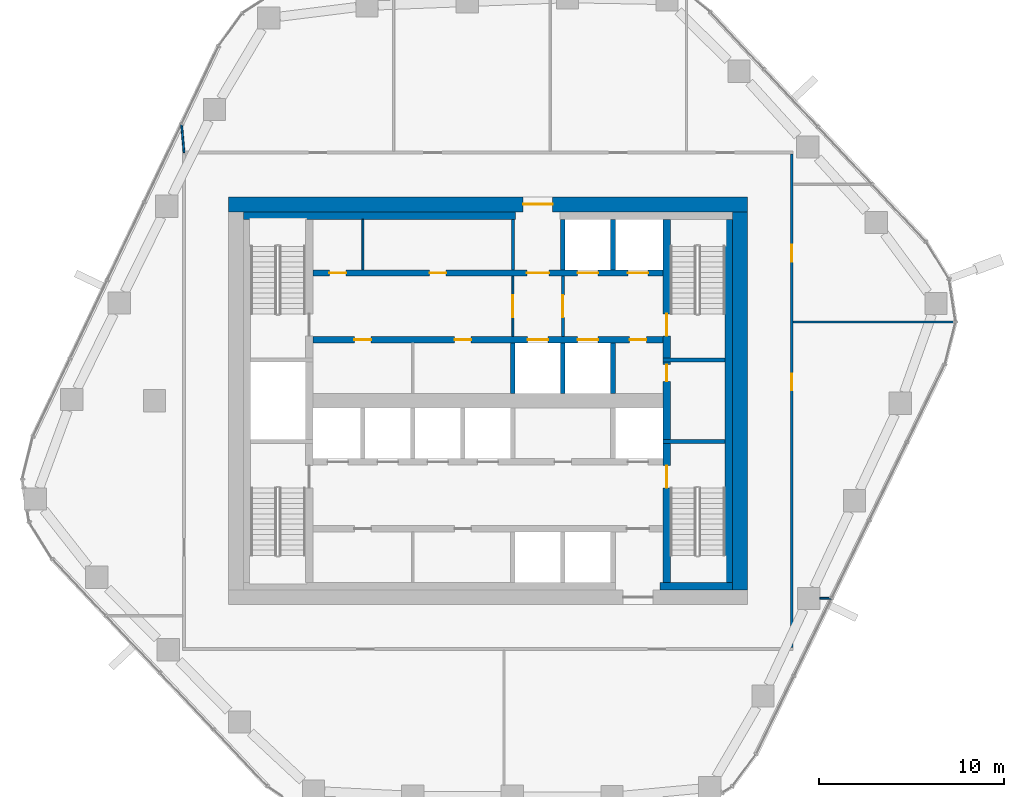
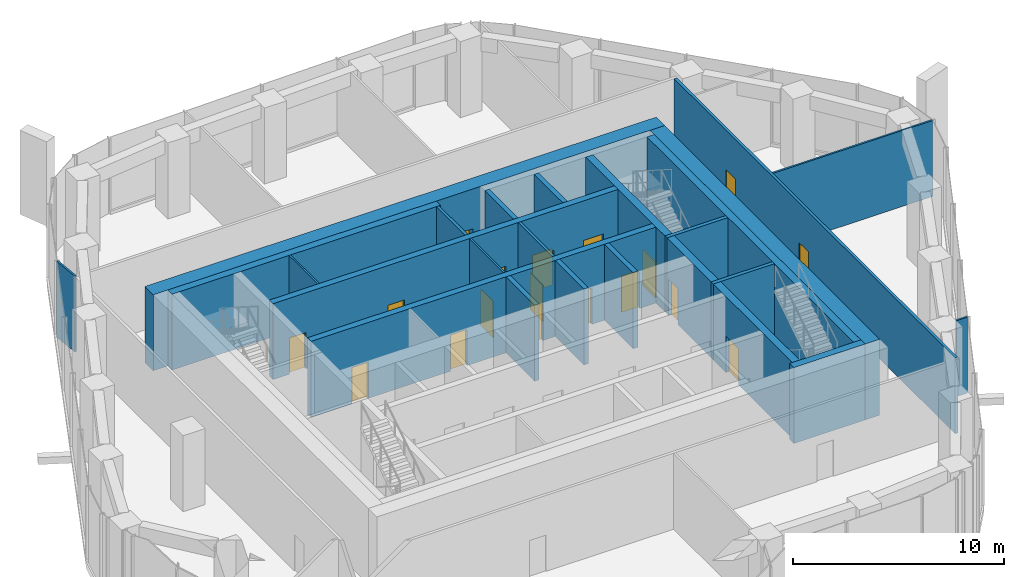
# One storey, part 12 of 16: 25 walls, 18 doors, 18 openings.
"""IFC4 building model written with IfcOpenShell, lengths in metres."""

from ifc_helpers import new_model, si_unit, direction, frame, frame_2d, origin, place, context, subcontext, project, spatial, rectangle, extrude, material, layer, layer_set, type_object, element, fill, save


model = new_model("IFC4")

# Units and contexts
model_context = context("Model", 3, precision=1e-05, world=origin(), true_north=direction((0.0, 1.0)))
body_context = subcontext(model_context, "Body", "Model", "MODEL_VIEW")
ifc_project = project(units=[si_unit("LENGTHUNIT", "METRE"), si_unit("AREAUNIT", "SQUARE_METRE"), si_unit("VOLUMEUNIT", "CUBIC_METRE"), si_unit("PLANEANGLEUNIT", "RADIAN"), si_unit("MASSUNIT", "GRAM", prefix="KILO")], contexts=[model_context])

# Site, building, storey
site_placement = place(None, origin())
site = spatial("IfcSite", under=ifc_project, at=site_placement, CompositionType="ELEMENT")
building_placement = place(site_placement, origin())
building = spatial("IfcBuilding", under=site, at=building_placement, Name="Dongbaek Canopy Tower", CompositionType="ELEMENT")
storey_placement = place(building_placement, frame((0.0, 0.0, 215.60009765625)))
storey = spatial("IfcBuildingStorey", under=building, at=storey_placement, Name="L45", CompositionType="ELEMENT", Elevation=215.60009765625)

# Wall, openings, doors
ifc_material_1 = material(Name="Concrete C60/75", Category="concrete")
ifc_layer_1 = layer(ifc_material_1, 0.35009765625)
ifc_layer_set_1 = layer_set([ifc_layer_1], Name="Core lobby wall 350 Concrete C60/75")
wall_type_1 = type_object("IfcWallType", Name="Core lobby wall 350 Concrete C60/75", PredefinedType="SHEAR", material=ifc_layer_set_1)
wall_1_placement = place(storey_placement, frame((-9.449951171875, 6.89990234375, 0.0), z_axis=(0.0, 0.0, 1.0), x_axis=(1.0, 0.0, 0.0)))
wall_1 = element("IfcWall", 1, at=wall_1_placement, inside=storey, type_object=wall_type_1, Name="Core wall", PredefinedType="SHEAR", context=body_context, shape_type="SweptSolid", body=[
    extrude(rectangle(XDim=18.89990234375, YDim=0.35009765625, at=frame_2d((9.449951171875, 0.0))), origin(), (0.0, 0.0, 1.0), 4.39990234375),
])
opening_1_placement = place(wall_1_placement, frame((11.550048828125, 0.0, 0.0)))
opening_1 = element("IfcOpeningElement", 2, at=opening_1_placement, cuts=wall_1, Name="Opening L45-D012", PredefinedType="OPENING", context=body_context, shape_type="SweptSolid", body=[
    extrude(rectangle(XDim=1.199951171875, YDim=2.10009765625, at=frame_2d((0.60009765625, 1.050048828125))), frame((0.0, 0.18505859375, 0.0), z_axis=(0.0, -1.0, 0.0), x_axis=(1.0, 0.0, 0.0)), (0.0, 0.0, 1.0), 0.3701171875),
])
opening_2_placement = place(wall_1_placement, frame((14.300048828125, 0.0, 0.0)))
opening_2 = element("IfcOpeningElement", 3, at=opening_2_placement, cuts=wall_1, Name="Opening L45-D013", PredefinedType="OPENING", context=body_context, shape_type="SweptSolid", body=[
    extrude(rectangle(XDim=1.10009765625, YDim=2.10009765625, at=frame_2d((0.550048828125, 1.050048828125))), frame((0.0, 0.18505859375, 0.0), z_axis=(0.0, -1.0, 0.0), x_axis=(1.0, 0.0, 0.0)), (0.0, 0.0, 1.0), 0.3701171875),
])
opening_3_placement = place(wall_1_placement, frame((17.0, 0.0, 0.0)))
opening_3 = element("IfcOpeningElement", 4, at=opening_3_placement, cuts=wall_1, Name="Opening L45-D014", PredefinedType="OPENING", context=body_context, shape_type="SweptSolid", body=[
    extrude(rectangle(XDim=1.10009765625, YDim=2.10009765625, at=frame_2d((0.550048828125, 1.050048828125))), frame((0.0, 0.18505859375, 0.0), z_axis=(0.0, -1.0, 0.0), x_axis=(1.0, 0.0, 0.0)), (0.0, 0.0, 1.0), 0.3701171875),
])
opening_4_placement = place(wall_1_placement, frame((0.89990234375, 0.0, 0.0)))
opening_4 = element("IfcOpeningElement", 5, at=opening_4_placement, cuts=wall_1, Name="Opening L45-D025", PredefinedType="OPENING", context=body_context, shape_type="SweptSolid", body=[
    extrude(rectangle(XDim=0.89990234375, YDim=2.10009765625, at=frame_2d((0.449951171875, 1.050048828125))), frame((0.0, 0.18505859375, 0.0), z_axis=(0.0, -1.0, 0.0), x_axis=(1.0, 0.0, 0.0)), (0.0, 0.0, 1.0), 0.3701171875),
])
opening_5_placement = place(wall_1_placement, frame((6.300048828125, 0.0, 0.0)))
opening_5 = element("IfcOpeningElement", 6, at=opening_5_placement, cuts=wall_1, Name="Opening L45-D026", PredefinedType="OPENING", context=body_context, shape_type="SweptSolid", body=[
    extrude(rectangle(XDim=0.89990234375, YDim=2.10009765625, at=frame_2d((0.449951171875, 1.050048828125))), frame((0.0, 0.18505859375, 0.0), z_axis=(0.0, -1.0, 0.0), x_axis=(1.0, 0.0, 0.0)), (0.0, 0.0, 1.0), 0.3701171875),
])
ifc_material_2 = material(Name="Steel", Category="steel")
door_type_1 = type_object("IfcDoorType", Name="Core room door 900 x 2100", OperationType="SINGLE_SWING_LEFT", PredefinedType="DOOR", material=ifc_material_2)
door_1_placement = place(opening_4_placement, origin())
door_1 = element("IfcDoor", 7, at=door_1_placement, inside=storey, type_object=door_type_1, Name="Door L45-D025", OperationType="SINGLE_SWING_RIGHT", OverallHeight=2.10009765625, OverallWidth=0.89990234375, PredefinedType="DOOR", context=body_context, shape_type="SweptSolid", body=[
    extrude(rectangle(XDim=0.89990234375, YDim=2.10009765625, at=frame_2d((0.449951171875, 1.050048828125))), frame((0.0, 0.02490234375, 0.0), z_axis=(0.0, -1.0, 0.0), x_axis=(1.0, 0.0, 0.0)), (0.0, 0.0, 1.0), 0.050048828125),
])
fill(opening_4, door_1)
door_2_placement = place(opening_5_placement, origin())
door_2 = element("IfcDoor", 8, at=door_2_placement, inside=storey, type_object=door_type_1, Name="Door L45-D026", OperationType="SINGLE_SWING_LEFT", OverallHeight=2.10009765625, OverallWidth=0.89990234375, PredefinedType="DOOR", context=body_context, shape_type="SweptSolid", body=[
    extrude(rectangle(XDim=0.89990234375, YDim=2.10009765625, at=frame_2d((0.449951171875, 1.050048828125))), frame((0.0, 0.02490234375, 0.0), z_axis=(0.0, -1.0, 0.0), x_axis=(1.0, 0.0, 0.0)), (0.0, 0.0, 1.0), 0.050048828125),
])
fill(opening_5, door_2)
ifc_material_3 = material(Name="Steel", Category="steel")
door_type_2 = type_object("IfcDoorType", Name="Fire lobby door 1200 x 2100", OperationType="SINGLE_SWING_LEFT", PredefinedType="DOOR", material=ifc_material_3)
door_3_placement = place(opening_1_placement, origin())
door_3 = element("IfcDoor", 9, at=door_3_placement, inside=storey, type_object=door_type_2, Name="Door L45-D012", OperationType="SINGLE_SWING_LEFT", OverallHeight=2.10009765625, OverallWidth=1.199951171875, PredefinedType="DOOR", context=body_context, shape_type="SweptSolid", body=[
    extrude(rectangle(XDim=1.199951171875, YDim=2.10009765625, at=frame_2d((0.60009765625, 1.050048828125))), frame((0.0, 0.02490234375, 0.0), z_axis=(0.0, -1.0, 0.0), x_axis=(1.0, 0.0, 0.0)), (0.0, 0.0, 1.0), 0.050048828125),
])
fill(opening_1, door_3)
ifc_material_4 = material(Name="Stainless steel", Category="steel")
door_type_3 = type_object("IfcDoorType", Name="Lift landing door 1100 x 2100", OperationType="DOUBLE_DOOR_SLIDING", PredefinedType="DOOR", material=ifc_material_4)
door_4_placement = place(opening_2_placement, origin())
door_4 = element("IfcDoor", 10, at=door_4_placement, inside=storey, type_object=door_type_3, Name="Landing door FF1", OperationType="DOUBLE_DOOR_SLIDING", OverallHeight=2.10009765625, OverallWidth=1.10009765625, PredefinedType="DOOR", context=body_context, shape_type="SweptSolid", body=[
    extrude(rectangle(XDim=1.10009765625, YDim=2.10009765625, at=frame_2d((0.550048828125, 1.050048828125))), frame((0.0, 0.02490234375, 0.0), z_axis=(0.0, -1.0, 0.0), x_axis=(1.0, 0.0, 0.0)), (0.0, 0.0, 1.0), 0.050048828125),
])
fill(opening_2, door_4)
door_5_placement = place(opening_3_placement, origin())
door_5 = element("IfcDoor", 11, at=door_5_placement, inside=storey, type_object=door_type_3, Name="Landing door FF2", OperationType="DOUBLE_DOOR_SLIDING", OverallHeight=2.10009765625, OverallWidth=1.10009765625, PredefinedType="DOOR", context=body_context, shape_type="SweptSolid", body=[
    extrude(rectangle(XDim=1.10009765625, YDim=2.10009765625, at=frame_2d((0.550048828125, 1.050048828125))), frame((0.0, 0.02490234375, 0.0), z_axis=(0.0, -1.0, 0.0), x_axis=(1.0, 0.0, 0.0)), (0.0, 0.0, 1.0), 0.050048828125),
])
fill(opening_3, door_5)

wall_2_placement = place(storey_placement, frame((9.449951171875, 3.300048828125, 0.0), z_axis=(0.0, 0.0, 1.0), x_axis=(-1.0, 0.0, 0.0)))
wall_2 = element("IfcWall", 12, at=wall_2_placement, inside=storey, type_object=wall_type_1, Name="Core wall", PredefinedType="SHEAR", context=body_context, shape_type="SweptSolid", body=[
    extrude(rectangle(XDim=18.89990234375, YDim=0.35009765625, at=frame_2d((9.449951171875, 0.0))), origin(), (0.0, 0.0, 1.0), 4.39990234375),
])
opening_6_placement = place(wall_2_placement, frame((6.199951171875, 0.0, 0.0)))
opening_6 = element("IfcOpeningElement", 13, at=opening_6_placement, cuts=wall_2, Name="Opening L45-D015", PredefinedType="OPENING", context=body_context, shape_type="SweptSolid", body=[
    extrude(rectangle(XDim=1.10009765625, YDim=2.10009765625, at=frame_2d((0.550048828125, 1.050048828125))), frame((0.0, 0.18505859375, 0.0), z_axis=(0.0, -1.0, 0.0), x_axis=(1.0, 0.0, 0.0)), (0.0, 0.0, 1.0), 0.3701171875),
])
opening_7_placement = place(wall_2_placement, frame((3.5, 0.0, 0.0)))
opening_7 = element("IfcOpeningElement", 14, at=opening_7_placement, cuts=wall_2, Name="Opening L45-D016", PredefinedType="OPENING", context=body_context, shape_type="SweptSolid", body=[
    extrude(rectangle(XDim=1.10009765625, YDim=2.10009765625, at=frame_2d((0.550048828125, 1.050048828125))), frame((0.0, 0.18505859375, 0.0), z_axis=(0.0, -1.0, 0.0), x_axis=(1.0, 0.0, 0.0)), (0.0, 0.0, 1.0), 0.3701171875),
])
opening_8_placement = place(wall_2_placement, frame((0.89990234375, 0.0, 0.0)))
opening_8 = element("IfcOpeningElement", 15, at=opening_8_placement, cuts=wall_2, Name="Opening L45-D017", PredefinedType="OPENING", context=body_context, shape_type="SweptSolid", body=[
    extrude(rectangle(XDim=0.89990234375, YDim=2.10009765625, at=frame_2d((0.449951171875, 1.050048828125))), frame((0.0, 0.18505859375, 0.0), z_axis=(0.0, -1.0, 0.0), x_axis=(1.0, 0.0, 0.0)), (0.0, 0.0, 1.0), 0.3701171875),
])
opening_9_placement = place(wall_2_placement, frame((15.75, 0.0, 0.0)))
opening_9 = element("IfcOpeningElement", 16, at=opening_9_placement, cuts=wall_2, Name="Opening L45-D027", PredefinedType="OPENING", context=body_context, shape_type="SweptSolid", body=[
    extrude(rectangle(XDim=0.89990234375, YDim=2.10009765625, at=frame_2d((0.449951171875, 1.050048828125))), frame((0.0, 0.18505859375, 0.0), z_axis=(0.0, -1.0, 0.0), x_axis=(1.0, 0.0, 0.0)), (0.0, 0.0, 1.0), 0.3701171875),
])
opening_10_placement = place(wall_2_placement, frame((10.35009765625, 0.0, 0.0)))
opening_10 = element("IfcOpeningElement", 17, at=opening_10_placement, cuts=wall_2, Name="Opening L45-D028", PredefinedType="OPENING", context=body_context, shape_type="SweptSolid", body=[
    extrude(rectangle(XDim=0.89990234375, YDim=2.10009765625, at=frame_2d((0.449951171875, 1.050048828125))), frame((0.0, 0.18505859375, 0.0), z_axis=(0.0, -1.0, 0.0), x_axis=(1.0, 0.0, 0.0)), (0.0, 0.0, 1.0), 0.3701171875),
])
door_6_placement = place(opening_8_placement, origin())
door_6 = element("IfcDoor", 18, at=door_6_placement, inside=storey, type_object=door_type_1, Name="Door L45-D017", OperationType="SINGLE_SWING_LEFT", OverallHeight=2.10009765625, OverallWidth=0.89990234375, PredefinedType="DOOR", context=body_context, shape_type="SweptSolid", body=[
    extrude(rectangle(XDim=0.89990234375, YDim=2.10009765625, at=frame_2d((0.449951171875, 1.050048828125))), frame((0.0, 0.02490234375, 0.0), z_axis=(0.0, -1.0, 0.0), x_axis=(1.0, 0.0, 0.0)), (0.0, 0.0, 1.0), 0.050048828125),
])
fill(opening_8, door_6)
door_7_placement = place(opening_9_placement, origin())
door_7 = element("IfcDoor", 19, at=door_7_placement, inside=storey, type_object=door_type_1, Name="Door L45-D027", OperationType="SINGLE_SWING_RIGHT", OverallHeight=2.10009765625, OverallWidth=0.89990234375, PredefinedType="DOOR", context=body_context, shape_type="SweptSolid", body=[
    extrude(rectangle(XDim=0.89990234375, YDim=2.10009765625, at=frame_2d((0.449951171875, 1.050048828125))), frame((0.0, 0.02490234375, 0.0), z_axis=(0.0, -1.0, 0.0), x_axis=(1.0, 0.0, 0.0)), (0.0, 0.0, 1.0), 0.050048828125),
])
fill(opening_9, door_7)
door_8_placement = place(opening_10_placement, origin())
door_8 = element("IfcDoor", 20, at=door_8_placement, inside=storey, type_object=door_type_1, Name="Door L45-D028", OperationType="SINGLE_SWING_LEFT", OverallHeight=2.10009765625, OverallWidth=0.89990234375, PredefinedType="DOOR", context=body_context, shape_type="SweptSolid", body=[
    extrude(rectangle(XDim=0.89990234375, YDim=2.10009765625, at=frame_2d((0.449951171875, 1.050048828125))), frame((0.0, 0.02490234375, 0.0), z_axis=(0.0, -1.0, 0.0), x_axis=(1.0, 0.0, 0.0)), (0.0, 0.0, 1.0), 0.050048828125),
])
fill(opening_10, door_8)
door_9_placement = place(opening_6_placement, origin())
door_9 = element("IfcDoor", 21, at=door_9_placement, inside=storey, type_object=door_type_3, Name="Landing door SV1", OperationType="DOUBLE_DOOR_SLIDING", OverallHeight=2.10009765625, OverallWidth=1.10009765625, PredefinedType="DOOR", context=body_context, shape_type="SweptSolid", body=[
    extrude(rectangle(XDim=1.10009765625, YDim=2.10009765625, at=frame_2d((0.550048828125, 1.050048828125))), frame((0.0, 0.02490234375, 0.0), z_axis=(0.0, -1.0, 0.0), x_axis=(1.0, 0.0, 0.0)), (0.0, 0.0, 1.0), 0.050048828125),
])
fill(opening_6, door_9)
door_10_placement = place(opening_7_placement, origin())
door_10 = element("IfcDoor", 22, at=door_10_placement, inside=storey, type_object=door_type_3, Name="Landing door FF3", OperationType="DOUBLE_DOOR_SLIDING", OverallHeight=2.10009765625, OverallWidth=1.10009765625, PredefinedType="DOOR", context=body_context, shape_type="SweptSolid", body=[
    extrude(rectangle(XDim=1.10009765625, YDim=2.10009765625, at=frame_2d((0.550048828125, 1.050048828125))), frame((0.0, 0.02490234375, 0.0), z_axis=(0.0, -1.0, 0.0), x_axis=(1.0, 0.0, 0.0)), (0.0, 0.0, 1.0), 0.050048828125),
])
fill(opening_7, door_10)

# Wall, opening, door
ifc_material_5 = material(Name="Concrete C70/85", Category="concrete")
ifc_layer_2 = layer(ifc_material_5, 0.800048828125)
ifc_layer_set_2 = layer_set([ifc_layer_2], Name="Core outer wall 800 Concrete C70/85")
wall_type_2 = type_object("IfcWallType", Name="Core outer wall 800 Concrete C70/85", PredefinedType="SHEAR", material=ifc_layer_set_2)
wall_3_placement = place(storey_placement, frame((-14.0, 10.60009765625, 0.0), z_axis=(0.0, 0.0, 1.0), x_axis=(1.0, 0.0, 0.0)))
wall_3 = element("IfcWall", 23, at=wall_3_placement, inside=storey, type_object=wall_type_2, Name="Core wall", PredefinedType="SHEAR", context=body_context, shape_type="SweptSolid", body=[
    extrude(rectangle(XDim=28.0, YDim=0.800048828125, at=frame_2d((14.0, 0.0))), origin(), (0.0, 0.0, 1.0), 4.39990234375),
])
opening_11_placement = place(wall_3_placement, frame((15.89990234375, 0.0, 0.0)))
opening_11 = element("IfcOpeningElement", 24, at=opening_11_placement, cuts=wall_3, Name="Opening L45-D011", PredefinedType="OPENING", context=body_context, shape_type="SweptSolid", body=[
    extrude(rectangle(XDim=1.60009765625, YDim=2.10009765625, at=frame_2d((0.800048828125, 1.050048828125))), frame((0.0, 0.409912109375, 0.0), z_axis=(0.0, -1.0, 0.0), x_axis=(1.0, 0.0, 0.0)), (0.0, 0.0, 1.0), 0.820068359375),
])
ifc_material_6 = material(Name="Steel", Category="steel")
door_type_4 = type_object("IfcDoorType", Name="Core exit door 1600 x 2100", OperationType="DOUBLE_DOOR_SINGLE_SWING", PredefinedType="DOOR", material=ifc_material_6)
door_11_placement = place(opening_11_placement, origin())
door_11 = element("IfcDoor", 25, at=door_11_placement, inside=storey, type_object=door_type_4, Name="Core exit door", OperationType="DOUBLE_DOOR_SINGLE_SWING", OverallHeight=2.10009765625, OverallWidth=1.60009765625, PredefinedType="DOOR", context=body_context, shape_type="SweptSolid", body=[
    extrude(rectangle(XDim=1.60009765625, YDim=2.10009765625, at=frame_2d((0.800048828125, 1.050048828125))), frame((0.0, 0.02490234375, 0.0), z_axis=(0.0, -1.0, 0.0), x_axis=(1.0, 0.0, 0.0)), (0.0, 0.0, 1.0), 0.050048828125),
])
fill(opening_11, door_11)

# Walls
wall_4_placement = place(storey_placement, frame((13.60009765625, 10.199951171875, 0.0), z_axis=(0.0, 0.0, 1.0), x_axis=(0.0, -1.0, 0.0)))
element("IfcWall", 26, at=wall_4_placement, inside=storey, type_object=wall_type_2, Name="Core wall", PredefinedType="SHEAR", context=body_context, shape_type="SweptSolid", body=[
    extrude(rectangle(XDim=20.39990234375, YDim=0.800048828125, at=frame_2d((10.199951171875, 0.0))), origin(), (0.0, 0.0, 1.0), 4.39990234375),
])
ifc_material_7 = material(Name="Concrete C60/75", Category="concrete")
ifc_layer_3 = layer(ifc_material_7, 0.39990234375)
ifc_layer_set_3 = layer_set([ifc_layer_3], Name="Core wall lining 400 Concrete C60/75")
wall_type_3 = type_object("IfcWallType", Name="Core wall lining 400 Concrete C60/75", PredefinedType="SHEAR", material=ifc_layer_set_3)
wall_5_placement = place(storey_placement, frame((-13.199951171875, 10.0, 0.0), z_axis=(0.0, 0.0, 1.0), x_axis=(1.0, 0.0, 0.0)))
element("IfcWall", 27, at=wall_5_placement, inside=storey, type_object=wall_type_3, Name="Core wall lining", PredefinedType="SHEAR", context=body_context, shape_type="SweptSolid", body=[
    extrude(rectangle(XDim=14.699951171875, YDim=0.39990234375, at=frame_2d((7.35009765625, 0.0))), origin(), (0.0, 0.0, 1.0), 4.39990234375),
])
wall_6_placement = place(storey_placement, frame((13.199951171875, -10.0, 0.0), z_axis=(0.0, 0.0, 1.0), x_axis=(-1.0, 0.0, 0.0)))
element("IfcWall", 28, at=wall_6_placement, inside=storey, type_object=wall_type_3, Name="Core wall lining", PredefinedType="SHEAR", context=body_context, shape_type="SweptSolid", body=[
    extrude(rectangle(XDim=3.89990234375, YDim=0.39990234375, at=frame_2d((1.949951171875, 0.0))), origin(), (0.0, 0.0, 1.0), 4.39990234375),
])
wall_7_placement = place(storey_placement, frame((13.0, 9.800048828125, 0.0), z_axis=(0.0, 0.0, 1.0), x_axis=(0.0, -1.0, 0.0)))
element("IfcWall", 29, at=wall_7_placement, inside=storey, type_object=wall_type_3, Name="Core wall lining", PredefinedType="SHEAR", context=body_context, shape_type="SweptSolid", body=[
    extrude(rectangle(XDim=19.60009765625, YDim=0.39990234375, at=frame_2d((9.800048828125, 0.0))), origin(), (0.0, 0.0, 1.0), 4.39990234375),
])

# Wall, openings, doors
ifc_material_8 = material(Name="Gypsum board partition, steel stud, 2 x 15 mm fire board", Category="steel")
ifc_layer_4 = layer(ifc_material_8, 0.14990234375)
ifc_layer_set_4 = layer_set([ifc_layer_4], Name="Fire-rated partition 150 gypsum board")
wall_type_4 = type_object("IfcWallType", Name="Fire-rated partition 150 gypsum board", PredefinedType="PARTITIONING", material=ifc_layer_set_4)
wall_8_placement = place(storey_placement, frame((16.39990234375, 13.324951171875, 0.0), z_axis=(0.0, 0.0, 1.0), x_axis=(0.0, -1.0, 0.0)))
wall_8 = element("IfcWall", 30, at=wall_8_placement, inside=storey, type_object=wall_type_4, Name="Corridor partition", PredefinedType="PARTITIONING", context=body_context, shape_type="SweptSolid", body=[
    extrude(rectangle(XDim=26.64990234375, YDim=0.14990234375, at=frame_2d((13.324951171875, 0.0))), origin(), (0.0, 0.0, 1.0), 4.39990234375),
])
opening_12_placement = place(wall_8_placement, frame((11.86572265625, 0.0, 0.0)))
opening_12 = element("IfcOpeningElement", 31, at=opening_12_placement, cuts=wall_8, Name="Opening L45-D004", PredefinedType="OPENING", context=body_context, shape_type="SweptSolid", body=[
    extrude(rectangle(XDim=0.89990234375, YDim=2.10009765625, at=frame_2d((0.449951171875, 1.050048828125))), frame((0.0, 0.0849609375, 0.0), z_axis=(0.0, -1.0, 0.0), x_axis=(1.0, 0.0, 0.0)), (0.0, 0.0, 1.0), 0.169921875),
])
opening_13_placement = place(wall_8_placement, frame((4.905029296875, 0.0, 0.0)))
opening_13 = element("IfcOpeningElement", 32, at=opening_13_placement, cuts=wall_8, Name="Opening L45-D005", PredefinedType="OPENING", context=body_context, shape_type="SweptSolid", body=[
    extrude(rectangle(XDim=0.89990234375, YDim=2.10009765625, at=frame_2d((0.449951171875, 1.050048828125))), frame((0.0, 0.0849609375, 0.0), z_axis=(0.0, -1.0, 0.0), x_axis=(1.0, 0.0, 0.0)), (0.0, 0.0, 1.0), 0.169921875),
])
ifc_material_9 = material(Name="Timber veneered door leaf", Category="wood")
door_type_5 = type_object("IfcDoorType", Name="Room door 900 x 2100", OperationType="SINGLE_SWING_LEFT", PredefinedType="DOOR", material=ifc_material_9)
door_12_placement = place(opening_12_placement, origin())
door_12 = element("IfcDoor", 33, at=door_12_placement, inside=storey, type_object=door_type_5, Name="Door L45-D004", OperationType="SINGLE_SWING_LEFT", OverallHeight=2.10009765625, OverallWidth=0.89990234375, PredefinedType="DOOR", context=body_context, shape_type="SweptSolid", body=[
    extrude(rectangle(XDim=0.89990234375, YDim=2.10009765625, at=frame_2d((0.449951171875, 1.050048828125))), frame((0.0, 0.02490234375, 0.0), z_axis=(0.0, -1.0, 0.0), x_axis=(1.0, 0.0, 0.0)), (0.0, 0.0, 1.0), 0.050048828125),
])
fill(opening_12, door_12)
door_13_placement = place(opening_13_placement, origin())
door_13 = element("IfcDoor", 34, at=door_13_placement, inside=storey, type_object=door_type_5, Name="Door L45-D005", OperationType="SINGLE_SWING_RIGHT", OverallHeight=2.10009765625, OverallWidth=0.89990234375, PredefinedType="DOOR", context=body_context, shape_type="SweptSolid", body=[
    extrude(rectangle(XDim=0.89990234375, YDim=2.10009765625, at=frame_2d((0.449951171875, 1.050048828125))), frame((0.0, 0.02490234375, 0.0), z_axis=(0.0, -1.0, 0.0), x_axis=(1.0, 0.0, 0.0)), (0.0, 0.0, 1.0), 0.050048828125),
])
fill(opening_13, door_13)

# Wall, opening, door
wall_9_placement = place(storey_placement, frame((4.050048828125, 6.72509765625, 0.0), z_axis=(0.0, 0.0, 1.0), x_axis=(0.0, -1.0, 0.0)))
wall_9 = element("IfcWall", 35, at=wall_9_placement, inside=storey, type_object=wall_type_4, Name="Fire lobby partition", PredefinedType="PARTITIONING", context=body_context, shape_type="SweptSolid", body=[
    extrude(rectangle(XDim=3.25, YDim=0.14990234375, at=frame_2d((1.625, 0.0))), origin(), (0.0, 0.0, 1.0), 4.39990234375),
])
opening_14_placement = place(wall_9_placement, frame((1.02490234375, 0.0, 0.0)))
opening_14 = element("IfcOpeningElement", 36, at=opening_14_placement, cuts=wall_9, Name="Opening L45-D037", PredefinedType="OPENING", context=body_context, shape_type="SweptSolid", body=[
    extrude(rectangle(XDim=1.199951171875, YDim=2.10009765625, at=frame_2d((0.60009765625, 1.050048828125))), frame((0.0, 0.0849609375, 0.0), z_axis=(0.0, -1.0, 0.0), x_axis=(1.0, 0.0, 0.0)), (0.0, 0.0, 1.0), 0.169921875),
])
door_14_placement = place(opening_14_placement, origin())
door_14 = element("IfcDoor", 37, at=door_14_placement, inside=storey, type_object=door_type_2, Name="Door L45-D037", OperationType="SINGLE_SWING_RIGHT", OverallHeight=2.10009765625, OverallWidth=1.199951171875, PredefinedType="DOOR", context=body_context, shape_type="SweptSolid", body=[
    extrude(rectangle(XDim=1.199951171875, YDim=2.10009765625, at=frame_2d((0.60009765625, 1.050048828125))), frame((0.0, 0.02490234375, 0.0), z_axis=(0.0, -1.0, 0.0), x_axis=(1.0, 0.0, 0.0)), (0.0, 0.0, 1.0), 0.050048828125),
])
fill(opening_14, door_14)

# Walls
wall_10_placement = place(storey_placement, frame((1.35009765625, 7.074951171875, 0.0), z_axis=(0.0, 0.0, 1.0), x_axis=(0.0, 1.0, 0.0)))
element("IfcWall", 38, at=wall_10_placement, inside=storey, type_object=wall_type_4, Name="Fire lobby partition", PredefinedType="PARTITIONING", context=body_context, shape_type="SweptSolid", body=[
    extrude(rectangle(XDim=2.72509765625, YDim=0.14990234375, at=frame_2d((1.362548828125, 0.0))), origin(), (0.0, 0.0, 1.0), 4.39990234375),
])
ifc_material_10 = material(Name="Concrete C40/50", Category="concrete")
ifc_layer_5 = layer(ifc_material_10, 0.25)
ifc_layer_set_5 = layer_set([ifc_layer_5], Name="Lift shaft wall 250 Concrete C40/50")
wall_type_5 = type_object("IfcWallType", Name="Lift shaft wall 250 Concrete C40/50", PredefinedType="SOLIDWALL", material=ifc_layer_set_5)
for number, where, z_axis, x_axis, name in (
    (39, (6.75, 0.39990234375, 0.0), (0.0, 0.0, 1.0), (0.0, 1.0, 0.0), "Lift shaft wall"),
    (40, (6.75, 7.074951171875, 0.0), (0.0, 0.0, 1.0), (0.0, 1.0, 0.0), "Lift shaft wall"),
    (41, (4.050048828125, 0.39990234375, 0.0), (0.0, 0.0, 1.0), (0.0, 1.0, 0.0), "Lift shaft wall"),
    (42, (4.050048828125, 7.074951171875, 0.0), (0.0, 0.0, 1.0), (0.0, 1.0, 0.0), "Lift shaft wall"),
    (43, (1.35009765625, 0.39990234375, 0.0), (0.0, 0.0, 1.0), (0.0, 1.0, 0.0), "Lift shaft wall"),
):
    element("IfcWall", number, at=place(storey_placement, frame(where, z_axis=z_axis, x_axis=x_axis)), inside=storey, type_object=wall_type_5, Name=name, PredefinedType="SOLIDWALL", context=body_context, shape_type="SweptSolid", body=[
        extrude(rectangle(XDim=2.72509765625, YDim=0.25, at=frame_2d((1.362548828125, 0.0))), origin(), (0.0, 0.0, 1.0), 4.39990234375),
    ])
ifc_material_11 = material(Name="Gypsum board partition, steel stud, 2 x 12.5 mm board", Category="steel")
ifc_layer_6 = layer(ifc_material_11, 0.10009765625)
ifc_layer_set_6 = layer_set([ifc_layer_6], Name="Partition 100 gypsum board")
wall_type_6 = type_object("IfcWallType", Name="Partition 100 gypsum board", PredefinedType="PARTITIONING", material=ifc_layer_set_6)
wall_11_placement = place(storey_placement, frame((17.922119140625, -10.653076171875, 0.0), z_axis=(0.0, 0.0, 1.0), x_axis=(1.0, 0.0, 0.0)))
element("IfcWall", 44, at=wall_11_placement, inside=storey, type_object=wall_type_6, Name="Partition", PredefinedType="PARTITIONING", context=body_context, shape_type="SweptSolid", body=[
    extrude(rectangle(XDim=0.608154296875, YDim=0.10009765625, at=frame_2d((0.30419921875, 0.0))), origin(), (0.0, 0.0, 1.0), 4.39990234375),
])
wall_12_placement = place(storey_placement, frame((16.47509765625, 4.25390625, 0.0), z_axis=(0.0, 0.0, 1.0), x_axis=(1.0, 0.0, 0.0)))
element("IfcWall", 45, at=wall_12_placement, inside=storey, type_object=wall_type_6, Name="Partition", PredefinedType="PARTITIONING", context=body_context, shape_type="SweptSolid", body=[
    extrude(rectangle(XDim=8.747802734375, YDim=0.10009765625, at=frame_2d((4.3740234375, 0.0))), origin(), (0.0, 0.0, 1.0), 4.39990234375),
])
wall_13_placement = place(storey_placement, frame((-16.531005859375, 14.904052734375, 0.0), z_axis=(0.0, 0.0, 1.0), x_axis=(0.086992440638, -0.996208971688, 0.0)))
element("IfcWall", 46, at=wall_13_placement, inside=storey, type_object=wall_type_6, Name="Partition", PredefinedType="PARTITIONING", context=body_context, shape_type="SweptSolid", body=[
    extrude(rectangle(XDim=1.509765625, YDim=0.10009765625, at=frame_2d((0.7548828125, 0.0))), origin(), (0.0, 0.0, 1.0), 4.39990234375),
])

# Wall, opening, door
wall_14_placement = place(storey_placement, frame((1.35009765625, 6.72509765625, 0.0), z_axis=(0.0, 0.0, 1.0), x_axis=(0.0, -1.0, 0.0)))
wall_14 = element("IfcWall", 47, at=wall_14_placement, inside=storey, type_object=wall_type_6, Name="Core partition", PredefinedType="PARTITIONING", context=body_context, shape_type="SweptSolid", body=[
    extrude(rectangle(XDim=3.25, YDim=0.10009765625, at=frame_2d((1.625, 0.0))), origin(), (0.0, 0.0, 1.0), 4.39990234375),
])
opening_15_placement = place(wall_14_placement, frame((1.02490234375, 0.0, 0.0)))
opening_15 = element("IfcOpeningElement", 48, at=opening_15_placement, cuts=wall_14, Name="Opening L45-D036", PredefinedType="OPENING", context=body_context, shape_type="SweptSolid", body=[
    extrude(rectangle(XDim=1.199951171875, YDim=2.10009765625, at=frame_2d((0.60009765625, 1.050048828125))), frame((0.0, 0.06005859375, 0.0), z_axis=(0.0, -1.0, 0.0), x_axis=(1.0, 0.0, 0.0)), (0.0, 0.0, 1.0), 0.1201171875),
])
door_15_placement = place(opening_15_placement, origin())
door_15 = element("IfcDoor", 49, at=door_15_placement, inside=storey, type_object=door_type_2, Name="Door L45-D036", OperationType="SINGLE_SWING_LEFT", OverallHeight=2.10009765625, OverallWidth=1.199951171875, PredefinedType="DOOR", context=body_context, shape_type="SweptSolid", body=[
    extrude(rectangle(XDim=1.199951171875, YDim=2.10009765625, at=frame_2d((0.60009765625, 1.050048828125))), frame((0.0, 0.02490234375, 0.0), z_axis=(0.0, -1.0, 0.0), x_axis=(1.0, 0.0, 0.0)), (0.0, 0.0, 1.0), 0.050048828125),
])
fill(opening_15, door_15)

# Walls
wall_15_placement = place(storey_placement, frame((-6.75, 7.074951171875, 0.0), z_axis=(0.0, 0.0, 1.0), x_axis=(0.0, 1.0, 0.0)))
element("IfcWall", 50, at=wall_15_placement, inside=storey, type_object=wall_type_6, Name="Core partition", PredefinedType="PARTITIONING", context=body_context, shape_type="SweptSolid", body=[
    extrude(rectangle(XDim=2.72509765625, YDim=0.10009765625, at=frame_2d((1.362548828125, 0.0))), origin(), (0.0, 0.0, 1.0), 4.39990234375),
])
ifc_material_12 = material(Name="Concrete C60/75", Category="concrete")
ifc_layer_7 = layer(ifc_material_12, 0.199951171875)
ifc_layer_set_7 = layer_set([ifc_layer_7], Name="Riser wall 200 Concrete C60/75")
wall_type_7 = type_object("IfcWallType", Name="Riser wall 200 Concrete C60/75", PredefinedType="SHEAR", material=ifc_layer_set_7)
for number, where, z_axis, x_axis, name in (
    (51, (9.449951171875, 2.199951171875, 0.0), (0.0, 0.0, 1.0), (1.0, 0.0, 0.0), "Riser wall"),
    (52, (9.449951171875, -2.199951171875, 0.0), (0.0, 0.0, 1.0), (1.0, 0.0, 0.0), "Riser wall"),
):
    element("IfcWall", number, at=place(storey_placement, frame(where, z_axis=z_axis, x_axis=x_axis)), inside=storey, type_object=wall_type_7, Name=name, PredefinedType="SHEAR", context=body_context, shape_type="SweptSolid", body=[
        extrude(rectangle(XDim=3.35009765625, YDim=0.199951171875, at=frame_2d((1.675048828125, 0.0))), origin(), (0.0, 0.0, 1.0), 4.39990234375),
    ])

# Wall, opening, door
ifc_material_13 = material(Name="Concrete C60/75", Category="concrete")
ifc_layer_8 = layer(ifc_material_13, 0.39990234375)
ifc_layer_set_8 = layer_set([ifc_layer_8], Name="Stair wall 400 Concrete C60/75")
wall_type_8 = type_object("IfcWallType", Name="Stair wall 400 Concrete C60/75", PredefinedType="SHEAR", material=ifc_layer_set_8)
wall_16_placement = place(storey_placement, frame((9.64990234375, -2.300048828125, 0.0), z_axis=(0.0, 0.0, 1.0), x_axis=(0.0, -1.0, 0.0)))
wall_16 = element("IfcWall", 53, at=wall_16_placement, inside=storey, type_object=wall_type_8, Name="Stair wall", PredefinedType="SHEAR", context=body_context, shape_type="SweptSolid", body=[
    extrude(rectangle(XDim=7.5, YDim=0.39990234375, at=frame_2d((3.75, 0.0))), origin(), (0.0, 0.0, 1.0), 4.39990234375),
])
opening_16_placement = place(wall_16_placement, frame((1.199951171875, 0.0, 0.0)))
opening_16 = element("IfcOpeningElement", 54, at=opening_16_placement, cuts=wall_16, Name="Opening L45-D034", PredefinedType="OPENING", context=body_context, shape_type="SweptSolid", body=[
    extrude(rectangle(XDim=1.199951171875, YDim=2.10009765625, at=frame_2d((0.60009765625, 1.050048828125))), frame((0.0, 0.2099609375, 0.0), z_axis=(0.0, -1.0, 0.0), x_axis=(1.0, 0.0, 0.0)), (0.0, 0.0, 1.0), 0.419921875),
])
ifc_material_14 = material(Name="Steel", Category="steel")
door_type_6 = type_object("IfcDoorType", Name="Stair door 1200 x 2100", OperationType="SINGLE_SWING_LEFT", PredefinedType="DOOR", material=ifc_material_14)
door_16_placement = place(opening_16_placement, origin())
door_16 = element("IfcDoor", 55, at=door_16_placement, inside=storey, type_object=door_type_6, Name="Stair B door", OperationType="SINGLE_SWING_RIGHT", OverallHeight=2.10009765625, OverallWidth=1.199951171875, PredefinedType="DOOR", context=body_context, shape_type="SweptSolid", body=[
    extrude(rectangle(XDim=1.199951171875, YDim=2.10009765625, at=frame_2d((0.60009765625, 1.050048828125))), frame((0.0, 0.02490234375, 0.0), z_axis=(0.0, -1.0, 0.0), x_axis=(1.0, 0.0, 0.0)), (0.0, 0.0, 1.0), 0.050048828125),
])
fill(opening_16, door_16)

wall_17_placement = place(storey_placement, frame((9.64990234375, 2.10009765625, 0.0), z_axis=(0.0, 0.0, 1.0), x_axis=(0.0, -1.0, 0.0)))
wall_17 = element("IfcWall", 56, at=wall_17_placement, inside=storey, type_object=wall_type_8, Name="Stair wall", PredefinedType="SHEAR", context=body_context, shape_type="SweptSolid", body=[
    extrude(rectangle(XDim=4.2001953125, YDim=0.39990234375, at=frame_2d((2.10009765625, 0.0))), origin(), (0.0, 0.0, 1.0), 4.39990234375),
])
opening_17_placement = place(wall_17_placement, frame((0.14990234375, 0.0, 0.0)))
opening_17 = element("IfcOpeningElement", 57, at=opening_17_placement, cuts=wall_17, Name="Opening L45-D010", PredefinedType="OPENING", context=body_context, shape_type="SweptSolid", body=[
    extrude(rectangle(XDim=0.89990234375, YDim=2.10009765625, at=frame_2d((0.449951171875, 1.050048828125))), frame((0.0, 0.2099609375, 0.0), z_axis=(0.0, -1.0, 0.0), x_axis=(1.0, 0.0, 0.0)), (0.0, 0.0, 1.0), 0.419921875),
])
door_17_placement = place(opening_17_placement, origin())
door_17 = element("IfcDoor", 58, at=door_17_placement, inside=storey, type_object=door_type_1, Name="Door L45-D010", OperationType="SINGLE_SWING_RIGHT", OverallHeight=2.10009765625, OverallWidth=0.89990234375, PredefinedType="DOOR", context=body_context, shape_type="SweptSolid", body=[
    extrude(rectangle(XDim=0.89990234375, YDim=2.10009765625, at=frame_2d((0.449951171875, 1.050048828125))), frame((0.0, 0.02490234375, 0.0), z_axis=(0.0, -1.0, 0.0), x_axis=(1.0, 0.0, 0.0)), (0.0, 0.0, 1.0), 0.050048828125),
])
fill(opening_17, door_17)

wall_18_placement = place(storey_placement, frame((9.64990234375, 9.800048828125, 0.0), z_axis=(0.0, 0.0, 1.0), x_axis=(0.0, -1.0, 0.0)))
wall_18 = element("IfcWall", 59, at=wall_18_placement, inside=storey, type_object=wall_type_8, Name="Stair wall", PredefinedType="SHEAR", context=body_context, shape_type="SweptSolid", body=[
    extrude(rectangle(XDim=7.5, YDim=0.39990234375, at=frame_2d((3.75, 0.0))), origin(), (0.0, 0.0, 1.0), 4.39990234375),
])
opening_18_placement = place(wall_18_placement, frame((5.10009765625, 0.0, 0.0)))
opening_18 = element("IfcOpeningElement", 60, at=opening_18_placement, cuts=wall_18, Name="Opening L45-D032", PredefinedType="OPENING", context=body_context, shape_type="SweptSolid", body=[
    extrude(rectangle(XDim=1.199951171875, YDim=2.10009765625, at=frame_2d((0.60009765625, 1.050048828125))), frame((0.0, 0.2099609375, 0.0), z_axis=(0.0, -1.0, 0.0), x_axis=(1.0, 0.0, 0.0)), (0.0, 0.0, 1.0), 0.419921875),
])
door_18_placement = place(opening_18_placement, origin())
door_18 = element("IfcDoor", 61, at=door_18_placement, inside=storey, type_object=door_type_6, Name="Stair A door", OperationType="SINGLE_SWING_LEFT", OverallHeight=2.10009765625, OverallWidth=1.199951171875, PredefinedType="DOOR", context=body_context, shape_type="SweptSolid", body=[
    extrude(rectangle(XDim=1.199951171875, YDim=2.10009765625, at=frame_2d((0.60009765625, 1.050048828125))), frame((0.0, 0.02490234375, 0.0), z_axis=(0.0, -1.0, 0.0), x_axis=(1.0, 0.0, 0.0)), (0.0, 0.0, 1.0), 0.050048828125),
])
fill(opening_18, door_18)

save(model, "model.ifc")
